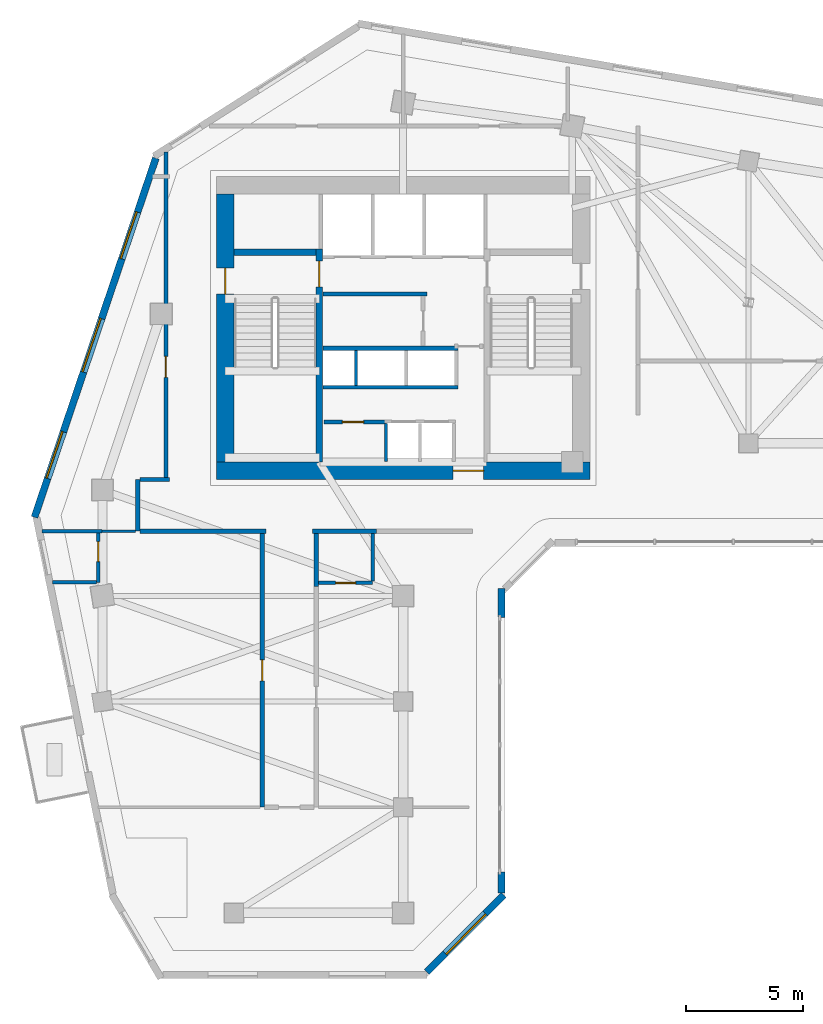
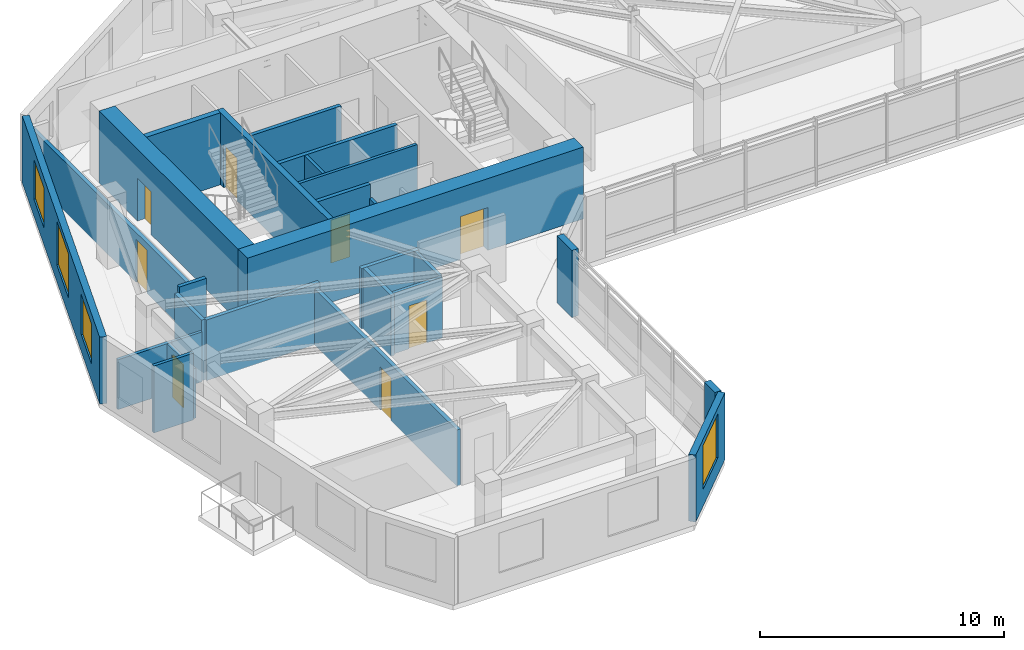
# One storey, part 5 of 10: 27 walls, 8 doors, 4 windows, 12 openings.
"""IFC4 building model written with IfcOpenShell, lengths in metres."""

from ifc_helpers import new_model, si_unit, direction, frame, frame_2d, origin, place, context, subcontext, project, spatial, rectangle, extrude, source, transform, mapped, material, layer, layer_set, type_object, element, fill, save


model = new_model("IFC4")

# Units and contexts
model_context = context("Model", 3, precision=1e-05, world=origin(), true_north=direction((0.0, 1.0)))
body_context = subcontext(model_context, "Body", "Model", "MODEL_VIEW")
ifc_project = project(units=[si_unit("LENGTHUNIT", "METRE"), si_unit("AREAUNIT", "SQUARE_METRE"), si_unit("VOLUMEUNIT", "CUBIC_METRE"), si_unit("PLANEANGLEUNIT", "RADIAN"), si_unit("MASSUNIT", "GRAM", prefix="KILO")], contexts=[model_context])

# Site, building, storey
site_placement = place(None, origin())
site = spatial("IfcSite", under=ifc_project, at=site_placement, CompositionType="ELEMENT")
building_placement = place(site_placement, origin())
building = spatial("IfcBuilding", under=site, at=building_placement, Name="Calvemar Wedge Station Tower", CompositionType="ELEMENT")
storey_placement = place(building_placement, frame((0.0, 0.0, 164.60009765625)))
storey = spatial("IfcBuildingStorey", under=building, at=storey_placement, Name="L41", CompositionType="ELEMENT", Elevation=164.60009765625)

# Wall, opening, door
ifc_material_1 = material(Name="Concrete C50", Category="concrete")
ifc_layer_1 = layer(ifc_material_1, 0.260009765625)
ifc_layer_set_1 = layer_set([ifc_layer_1], Name="Concrete C50")
wall_type_1 = type_object("IfcWallType", Name="SW-CORE-260", PredefinedType="SHEAR", material=ifc_layer_set_1)
wall_1_placement = place(storey_placement, frame((20.22998046875, 34.199951171875, 0.0), z_axis=(0.0, 0.0, 1.0), x_axis=(0.0, 1.0, 0.0)))
wall_1 = element("IfcWall", 1, at=wall_1_placement, inside=storey, type_object=wall_type_1, Name="Storey L41 Core Shear Wall SPINE-W", PredefinedType="SHEAR", context=body_context, shape_type="SweptSolid", body=[
    extrude(rectangle(XDim=9.06005859375, YDim=0.260009765625, at=frame_2d((4.530029296875, 0.0))), origin(), (0.0, 0.0, 1.0), 3.599853515625),
])
shared_shape_1 = source(origin(), body_context, "Body", "SweptSolid", [
    extrude(rectangle(XDim=1.10009765625, YDim=2.14990234375, at=frame_2d((0.550048828125, 1.074951171875))), frame((0.0, 0.14013671875, 0.0), z_axis=(0.0, -1.0, 0.0), x_axis=(1.0, 0.0, 0.0)), (0.0, 0.0, 1.0), 0.280029296875),
])
opening_1_placement = place(wall_1_placement, frame((7.449951171875, 0.0, 0.0)))
opening_1 = element("IfcOpeningElement", 2, at=opening_1_placement, cuts=wall_1, Name="Opening FD-90", PredefinedType="OPENING", context=body_context, shape_type="MappedRepresentation", body=[
    mapped(shared_shape_1, transform((0.0, 0.0, 0.0), scale=1.0)),
])
ifc_material_2 = material(Name="Galvanized fire-rated steel door leaf P-90", Category="steel")
door_type_1 = type_object("IfcDoorType", Name="DR-FD90-1100", OperationType="NOTDEFINED", PredefinedType="DOOR", material=ifc_material_2)
shared_shape_2 = source(origin(), body_context, "Body", "SweptSolid", [
    extrude(rectangle(XDim=1.10009765625, YDim=2.14990234375, at=frame_2d((0.550048828125, 1.074951171875))), frame((0.0, 0.02490234375, 0.0), z_axis=(0.0, -1.0, 0.0), x_axis=(1.0, 0.0, 0.0)), (0.0, 0.0, 1.0), 0.050048828125),
])
door_1_placement = place(opening_1_placement, origin())
door_1 = element("IfcDoor", 3, at=door_1_placement, inside=storey, type_object=door_type_1, Name="L41 FF Lobby to Stair ST-C1 Door", OperationType="SINGLE_SWING_LEFT", OverallHeight=2.14990234375, OverallWidth=1.10009765625, PredefinedType="DOOR", context=body_context, shape_type="MappedRepresentation", body=[
    mapped(shared_shape_2, transform((0.0, 0.0, 0.0), scale=1.0)),
])
fill(opening_1, door_1)

# Wall
wall_2_placement = place(storey_placement, frame((16.60009765625, 43.1298828125, 0.0), z_axis=(0.0, 0.0, 1.0), x_axis=(1.0, 0.0, 0.0)))
element("IfcWall", 4, at=wall_2_placement, inside=storey, type_object=wall_type_1, Name="Storey L41 Core Shear Wall STC1-N", PredefinedType="SHEAR", context=body_context, shape_type="SweptSolid", body=[
    extrude(rectangle(XDim=3.5, YDim=0.260009765625, at=frame_2d((1.75, 0.0))), origin(), (0.0, 0.0, 1.0), 3.599853515625),
])

# Wall, opening, door
ifc_material_3 = material(Name="Concrete C70", Category="concrete")
ifc_layer_2 = layer(ifc_material_3, 0.75)
ifc_layer_set_2 = layer_set([ifc_layer_2], Name="Concrete C70")
wall_type_2 = type_object("IfcWallType", Name="SW-CORE-750", PredefinedType="SHEAR", material=ifc_layer_set_2)
wall_3_placement = place(storey_placement, frame((15.85009765625, 33.824951171875, 0.0), z_axis=(0.0, 0.0, 1.0), x_axis=(1.0, 0.0, 0.0)))
wall_3 = element("IfcWall", 5, at=wall_3_placement, inside=storey, type_object=wall_type_2, Name="Storey L41 Core Shear Wall S", PredefinedType="SHEAR", context=body_context, shape_type="SweptSolid", body=[
    extrude(rectangle(XDim=15.89990234375, YDim=0.75, at=frame_2d((7.949951171875, 0.0))), origin(), (0.0, 0.0, 1.0), 3.599853515625),
])
shared_shape_3 = source(origin(), body_context, "Body", "SweptSolid", [
    extrude(rectangle(XDim=1.300048828125, YDim=2.14990234375, at=frame_2d((0.64990234375, 1.074951171875))), frame((0.0, 0.385009765625, 0.0), z_axis=(0.0, -1.0, 0.0), x_axis=(1.0, 0.0, 0.0)), (0.0, 0.0, 1.0), 0.77001953125),
])
opening_2_placement = place(wall_3_placement, frame((10.080078125, 0.0, 0.0)))
opening_2 = element("IfcOpeningElement", 6, at=opening_2_placement, cuts=wall_3, Name="Opening DD-130", PredefinedType="OPENING", context=body_context, shape_type="MappedRepresentation", body=[
    mapped(shared_shape_3, transform((0.0, 0.0, 0.0), scale=1.0)),
])
ifc_material_4 = material(Name="Double-leaf lift lobby fire door EI 60")
door_type_2 = type_object("IfcDoorType", Name="DR-DBL-1300", OperationType="DOUBLE_DOOR_SINGLE_SWING", PredefinedType="DOOR", material=ifc_material_4)
shared_shape_4 = source(origin(), body_context, "Body", "SweptSolid", [
    extrude(rectangle(XDim=1.300048828125, YDim=2.14990234375, at=frame_2d((0.64990234375, 1.074951171875))), frame((0.0, 0.02490234375, 0.0), z_axis=(0.0, -1.0, 0.0), x_axis=(1.0, 0.0, 0.0)), (0.0, 0.0, 1.0), 0.050048828125),
])
door_2_placement = place(opening_2_placement, origin())
door_2 = element("IfcDoor", 7, at=door_2_placement, inside=storey, type_object=door_type_2, Name="L41 Passenger Lift Lobby Door", OperationType="DOUBLE_DOOR_SINGLE_SWING", OverallHeight=2.14990234375, OverallWidth=1.300048828125, PredefinedType="DOOR", context=body_context, shape_type="MappedRepresentation", body=[
    mapped(shared_shape_4, transform((0.0, 0.0, 0.0), scale=1.0)),
])
fill(opening_2, door_2)

wall_4_placement = place(storey_placement, frame((16.22509765625, 34.199951171875, 0.0), z_axis=(0.0, 0.0, 1.0), x_axis=(0.0, 1.0, 0.0)))
wall_4 = element("IfcWall", 8, at=wall_4_placement, inside=storey, type_object=wall_type_2, Name="Storey L41 Core Shear Wall W", PredefinedType="SHEAR", context=body_context, shape_type="SweptSolid", body=[
    extrude(rectangle(XDim=11.400146484375, YDim=0.75, at=frame_2d((5.7001953125, 0.0))), origin(), (0.0, 0.0, 1.0), 3.599853515625),
])
shared_shape_5 = source(origin(), body_context, "Body", "SweptSolid", [
    extrude(rectangle(XDim=1.10009765625, YDim=2.14990234375, at=frame_2d((0.550048828125, 1.074951171875))), frame((0.0, 0.385009765625, 0.0), z_axis=(0.0, -1.0, 0.0), x_axis=(1.0, 0.0, 0.0)), (0.0, 0.0, 1.0), 0.77001953125),
])
opening_3_placement = place(wall_4_placement, frame((7.14990234375, 0.0, 0.0)))
opening_3 = element("IfcOpeningElement", 9, at=opening_3_placement, cuts=wall_4, Name="Opening FD-90", PredefinedType="OPENING", context=body_context, shape_type="MappedRepresentation", body=[
    mapped(shared_shape_5, transform((0.0, 0.0, 0.0), scale=1.0)),
])
door_3_placement = place(opening_3_placement, origin())
door_3 = element("IfcDoor", 10, at=door_3_placement, inside=storey, type_object=door_type_1, Name="L41 West Corridor to Exit Stair ST-C1 Door", OperationType="SINGLE_SWING_LEFT", OverallHeight=2.14990234375, OverallWidth=1.10009765625, PredefinedType="DOOR", context=body_context, shape_type="MappedRepresentation", body=[
    mapped(shared_shape_2, transform((0.0, 0.0, 0.0), scale=1.0)),
])
fill(opening_3, door_3)

# Wall
ifc_material_5 = material(Name="Double-stud fire-rated corridor partition")
ifc_layer_3 = layer(ifc_material_5, 0.179931640625)
ifc_layer_set_3 = layer_set([ifc_layer_3], Name="Double-stud fire-rated corridor partition")
wall_type_3 = type_object("IfcWallType", Name="W-CORR-180", PredefinedType="PARTITIONING", material=ifc_layer_set_3)
wall_5_placement = place(storey_placement, frame((24.81005859375, 41.35009765625, 0.0), z_axis=(0.0, 0.0, 1.0), x_axis=(-1.0, 0.0, 0.0)))
element("IfcWall", 11, at=wall_5_placement, inside=storey, type_object=wall_type_3, Name="Storey L41 Interior Partition WL-L41-001", PredefinedType="PARTITIONING", context=body_context, shape_type="SweptSolid", body=[
    extrude(rectangle(XDim=4.43017578125, YDim=0.179931640625, at=frame_2d((2.215087890625, 0.0))), origin(), (0.0, 0.0, 1.0), 3.349853515625),
])

# Wall, opening, door
wall_6_placement = place(storey_placement, frame((20.419921875, 35.89990234375, 0.0), z_axis=(0.0, 0.0, 1.0), x_axis=(1.0, 0.0, 0.0)))
wall_6 = element("IfcWall", 12, at=wall_6_placement, inside=storey, type_object=wall_type_3, Name="Storey L41 Interior Partition WL-L41-004", PredefinedType="PARTITIONING", context=body_context, shape_type="SweptSolid", body=[
    extrude(rectangle(XDim=2.6201171875, YDim=0.179931640625, at=frame_2d((1.31005859375, 0.0))), origin(), (0.0, 0.0, 1.0), 3.349853515625),
])
shared_shape_6 = source(origin(), body_context, "Body", "SweptSolid", [
    extrude(rectangle(XDim=0.89990234375, YDim=2.14990234375, at=frame_2d((0.449951171875, 1.074951171875))), frame((0.0, 0.10009765625, 0.0), z_axis=(0.0, -1.0, 0.0), x_axis=(1.0, 0.0, 0.0)), (0.0, 0.0, 1.0), 0.199951171875),
])
opening_4_placement = place(wall_6_placement, frame((0.795654296875, 0.0, 0.0)))
opening_4 = element("IfcOpeningElement", 13, at=opening_4_placement, cuts=wall_6, Name="Opening FD-60", PredefinedType="OPENING", context=body_context, shape_type="MappedRepresentation", body=[
    mapped(shared_shape_6, transform((0.0, 0.0, 0.0), scale=1.0)),
])
ifc_material_6 = material(Name="Fire-rated acoustic timber-core entrance door EI 60", Category="wood")
door_type_3 = type_object("IfcDoorType", Name="DR-FD60-900", OperationType="NOTDEFINED", PredefinedType="DOOR", material=ifc_material_6)
shared_shape_7 = source(origin(), body_context, "Body", "SweptSolid", [
    extrude(rectangle(XDim=0.89990234375, YDim=2.14990234375, at=frame_2d((0.449951171875, 1.074951171875))), frame((0.0, 0.02490234375, 0.0), z_axis=(0.0, -1.0, 0.0), x_axis=(1.0, 0.0, 0.0)), (0.0, 0.0, 1.0), 0.050048828125),
])
door_4_placement = place(opening_4_placement, origin())
door_4 = element("IfcDoor", 14, at=door_4_placement, inside=storey, type_object=door_type_3, Name="L41 Housekeeping Store Door", OperationType="SINGLE_SWING_LEFT", OverallHeight=2.14990234375, OverallWidth=0.89990234375, PredefinedType="DOOR", context=body_context, shape_type="MappedRepresentation", body=[
    mapped(shared_shape_7, transform((0.0, 0.0, 0.0), scale=1.0)),
])
fill(opening_4, door_4)

# Walls
wall_7_placement = place(storey_placement, frame((12.5, 31.25, 0.0), z_axis=(0.0, 0.0, 1.0), x_axis=(0.0, 1.0, 0.0)))
element("IfcWall", 15, at=wall_7_placement, inside=storey, type_object=wall_type_3, Name="Storey L41 Interior Partition WL-L41-005", PredefinedType="PARTITIONING", context=body_context, shape_type="SweptSolid", body=[
    extrude(rectangle(XDim=2.199951171875, YDim=0.179931640625, at=frame_2d((1.10009765625, 0.0))), origin(), (0.0, 0.0, 1.0), 3.033935546875),
])
wall_8_placement = place(storey_placement, frame((12.593994140625, 33.449951171875, 0.0), z_axis=(0.0, 0.0, 1.0), x_axis=(1.0, 0.0, 0.0)))
element("IfcWall", 16, at=wall_8_placement, inside=storey, type_object=wall_type_3, Name="Storey L41 Interior Partition WL-L41-006", PredefinedType="PARTITIONING", context=body_context, shape_type="SweptSolid", body=[
    extrude(rectangle(XDim=1.26611328125, YDim=0.179931640625, at=frame_2d((0.633056640625, 0.0))), origin(), (0.0, 0.0, 1.0), 3.349853515625),
])
wall_9_placement = place(storey_placement, frame((17.9599609375, 31.25, 0.0), z_axis=(0.0, 0.0, 1.0), x_axis=(-1.0, 0.0, 0.0)))
element("IfcWall", 17, at=wall_9_placement, inside=storey, type_object=wall_type_3, Name="Storey L41 Interior Partition WL-L41-007", PredefinedType="PARTITIONING", context=body_context, shape_type="SweptSolid", body=[
    extrude(rectangle(XDim=5.365966796875, YDim=0.179931640625, at=frame_2d((2.68310546875, 0.0))), origin(), (0.0, 0.0, 1.0), 3.033935546875),
])
wall_10_placement = place(storey_placement, frame((22.659912109375, 31.25, 0.0), z_axis=(0.0, 0.0, 1.0), x_axis=(-1.0, 0.0, 0.0)))
element("IfcWall", 18, at=wall_10_placement, inside=storey, type_object=wall_type_3, Name="Storey L41 Interior Partition WL-L41-008", PredefinedType="PARTITIONING", context=body_context, shape_type="SweptSolid", body=[
    extrude(rectangle(XDim=2.719970703125, YDim=0.179931640625, at=frame_2d((1.35986328125, 0.0))), origin(), (0.0, 0.0, 1.0), 3.033935546875),
])

# Wall, opening, door
wall_11_placement = place(storey_placement, frame((13.699951171875, 33.5439453125, 0.0), z_axis=(0.0, 0.0, 1.0), x_axis=(0.0, 1.0, 0.0)))
wall_11 = element("IfcWall", 19, at=wall_11_placement, inside=storey, type_object=wall_type_3, Name="Storey L41 Interior Partition WL-L41-010", PredefinedType="PARTITIONING", context=body_context, shape_type="SweptSolid", body=[
    extrude(rectangle(XDim=13.860107421875, YDim=0.179931640625, at=frame_2d((6.93017578125, 0.0))), origin(), (0.0, 0.0, 1.0), 2.491943359375),
])
opening_5_placement = place(wall_11_placement, frame((4.252685546875, 0.0, 0.0)))
opening_5 = element("IfcOpeningElement", 20, at=opening_5_placement, cuts=wall_11, Name="Opening D-01", PredefinedType="OPENING", context=body_context, shape_type="MappedRepresentation", body=[
    mapped(shared_shape_6, transform((0.0, 0.0, 0.0), scale=1.0)),
])
ifc_material_7 = material(Name="Architectural hardwood acoustic swing door", Category="wood")
door_type_4 = type_object("IfcDoorType", Name="DR-INT-900", OperationType="NOTDEFINED", PredefinedType="DOOR", material=ifc_material_7)
shared_shape_8 = source(origin(), body_context, "Body", "SweptSolid", [
    extrude(rectangle(XDim=0.89990234375, YDim=2.14990234375, at=frame_2d((0.449951171875, 1.074951171875))), frame((0.0, 0.02490234375, 0.0), z_axis=(0.0, -1.0, 0.0), x_axis=(1.0, 0.0, 0.0)), (0.0, 0.0, 1.0), 0.050048828125),
])
door_5_placement = place(opening_5_placement, origin())
door_5 = element("IfcDoor", 21, at=door_5_placement, inside=storey, type_object=door_type_4, Name="L41 Executive Lounge Door", OperationType="SINGLE_SWING_RIGHT", OverallHeight=2.14990234375, OverallWidth=0.89990234375, PredefinedType="DOOR", context=body_context, shape_type="MappedRepresentation", body=[
    mapped(shared_shape_8, transform((0.0, 0.0, 0.0), scale=1.0)),
])
fill(opening_5, door_5)

wall_12_placement = place(storey_placement, frame((17.800048828125, 19.5, 0.0), z_axis=(0.0, 0.0, 1.0), x_axis=(0.0, 1.0, 0.0)))
wall_12 = element("IfcWall", 22, at=wall_12_placement, inside=storey, type_object=wall_type_3, Name="Storey L41 Interior Partition WL-L41-023", PredefinedType="PARTITIONING", context=body_context, shape_type="SweptSolid", body=[
    extrude(rectangle(XDim=11.656005859375, YDim=0.179931640625, at=frame_2d((5.828125, 0.0))), origin(), (0.0, 0.0, 1.0), 2.802978515625),
])
opening_6_placement = place(wall_12_placement, frame((5.3779296875, 0.0, 0.0)))
opening_6 = element("IfcOpeningElement", 23, at=opening_6_placement, cuts=wall_12, Name="Opening FD-60", PredefinedType="OPENING", context=body_context, shape_type="MappedRepresentation", body=[
    mapped(shared_shape_6, transform((0.0, 0.0, 0.0), scale=1.0)),
])
door_6_placement = place(opening_6_placement, origin())
door_6 = element("IfcDoor", 24, at=door_6_placement, inside=storey, type_object=door_type_3, Name="L41 Hotel Suite Door", OperationType="SINGLE_SWING_LEFT", OverallHeight=2.14990234375, OverallWidth=0.89990234375, PredefinedType="DOOR", context=body_context, shape_type="MappedRepresentation", body=[
    mapped(shared_shape_7, transform((0.0, 0.0, 0.0), scale=1.0)),
])
fill(opening_6, door_6)

# Wall
wall_13_placement = place(storey_placement, frame((20.10009765625, 31.156005859375, 0.0), z_axis=(0.0, 0.0, 1.0), x_axis=(0.0, -1.0, 0.0)))
element("IfcWall", 25, at=wall_13_placement, inside=storey, type_object=wall_type_3, Name="Storey L41 Interior Partition WL-L41-024", PredefinedType="PARTITIONING", context=body_context, shape_type="SweptSolid", body=[
    extrude(rectangle(XDim=2.26611328125, YDim=0.179931640625, at=frame_2d((1.133056640625, 0.0))), origin(), (0.0, 0.0, 1.0), 3.033935546875),
])

# Wall, opening, window
ifc_material_8 = material(Name="Precast concrete C45", Category="concrete")
ifc_layer_4 = layer(ifc_material_8, 0.300048828125)
ifc_layer_set_4 = layer_set([ifc_layer_4], Name="Precast concrete C45")
wall_type_4 = type_object("IfcWallType", Name="W-EXT-GFRC-300", PredefinedType="SOLIDWALL", material=ifc_layer_set_4)
wall_14_placement = place(storey_placement, frame((24.803955078125, 12.488037109375, 0.0), z_axis=(0.0, 0.0, 1.0), x_axis=(0.70708046583, 0.707133095564, 0.0)))
wall_14 = element("IfcWall", 26, at=wall_14_placement, inside=storey, type_object=wall_type_4, Name="Storey L41 Bronze GFRC Exterior Wall 3", PredefinedType="SOLIDWALL", context=body_context, shape_type="SweptSolid", body=[
    extrude(rectangle(XDim=4.638916015625, YDim=0.300048828125, at=frame_2d((2.3193359375, 0.0))), origin(), (0.0, 0.0, 1.0), 3.349853515625),
])
shared_shape_9 = source(origin(), body_context, "Body", "SweptSolid", [
    extrude(rectangle(XDim=2.39990234375, YDim=2.199951171875, at=frame_2d((1.199951171875, 1.10009765625))), frame((0.0, 0.16015625, 0.0), z_axis=(0.0, -1.0, 0.0), x_axis=(1.0, 0.0, 0.0)), (0.0, 0.0, 1.0), 0.320068359375),
])
opening_7_placement = place(wall_14_placement, frame((1.118896484375, 0.0, 0.85009765625)))
opening_7 = element("IfcOpeningElement", 27, at=opening_7_placement, cuts=wall_14, Name="Opening W1", PredefinedType="OPENING", context=body_context, shape_type="MappedRepresentation", body=[
    mapped(shared_shape_9, transform((0.0, 0.0, 0.0), scale=1.0)),
])
ifc_material_9 = material(Name="Low-E laminated insulated glass", Category="glass")
window_type_1 = type_object("IfcWindowType", Name="WIN-EXT-1", PartitioningType="SINGLE_PANEL", PredefinedType="WINDOW", material=ifc_material_9)
shared_shape_10 = source(origin(), body_context, "Body", "SweptSolid", [
    extrude(rectangle(XDim=2.39990234375, YDim=2.199951171875, at=frame_2d((1.199951171875, 1.10009765625))), frame((0.0, -0.014892578125, 0.0), z_axis=(0.0, -1.0, 0.0), x_axis=(1.0, 0.0, 0.0)), (0.0, 0.0, 1.0), 0.06005859375),
])
window_1_placement = place(opening_7_placement, origin())
window_1 = element("IfcWindow", 28, at=window_1_placement, inside=storey, type_object=window_type_1, Name="Storey L41 Recessed Window 3.1", OverallHeight=2.199951171875, OverallWidth=2.39990234375, PartitioningType="SINGLE_PANEL", PredefinedType="WINDOW", context=body_context, shape_type="MappedRepresentation", body=[
    mapped(shared_shape_10, transform((0.0, 0.0, 0.0), scale=1.0)),
])
fill(opening_7, window_1)

# Walls
wall_15_placement = place(storey_placement, frame((27.97802734375, 15.857421875, 0.0), z_axis=(0.0, 0.0, 1.0), x_axis=(0.0, 1.0, 0.0)))
element("IfcWall", 29, at=wall_15_placement, inside=storey, type_object=wall_type_4, Name="Storey L41 Bronze GFRC Corner Pier 4A", PredefinedType="SOLIDWALL", context=body_context, shape_type="SweptSolid", body=[
    extrude(rectangle(XDim=0.882080078125, YDim=0.300048828125, at=frame_2d((0.44091796875, 0.0))), origin(), (0.0, 0.0, 1.0), 3.349853515625),
])
wall_16_placement = place(storey_placement, frame((27.97802734375, 27.57666015625, 0.0), z_axis=(0.0, 0.0, 1.0), x_axis=(0.0, 1.0, 0.0)))
element("IfcWall", 30, at=wall_16_placement, inside=storey, type_object=wall_type_4, Name="Storey L41 Bronze GFRC Corner Pier 4B", PredefinedType="SOLIDWALL", context=body_context, shape_type="SweptSolid", body=[
    extrude(rectangle(XDim=1.2275390625, YDim=0.300048828125, at=frame_2d((0.61376953125, 0.0))), origin(), (0.0, 0.0, 1.0), 3.349853515625),
])

# Wall, openings, windows
wall_17_placement = place(storey_placement, frame((13.2685546875, 47.1337890625, 0.0), z_axis=(0.0, 0.0, 1.0), x_axis=(-0.319929773322, -0.947441259468, 0.0)))
wall_17 = element("IfcWall", 31, at=wall_17_placement, inside=storey, type_object=wall_type_4, Name="Storey L41 Bronze GFRC Exterior Wall 12", PredefinedType="SOLIDWALL", context=body_context, shape_type="SweptSolid", body=[
    extrude(rectangle(XDim=16.133544921875, YDim=0.300048828125, at=frame_2d((8.06689453125, 0.0))), origin(), (0.0, 0.0, 1.0), 3.349853515625),
])
shared_shape_11 = source(origin(), body_context, "Body", "SweptSolid", [
    extrude(rectangle(XDim=2.10009765625, YDim=2.0, at=frame_2d((1.050048828125, 1.0))), frame((0.0, 0.16015625, 0.0), z_axis=(0.0, -1.0, 0.0), x_axis=(1.0, 0.0, 0.0)), (0.0, 0.0, 1.0), 0.320068359375),
])
opening_8_placement = place(wall_17_placement, frame((2.426025390625, 0.0, 0.85009765625)))
opening_8 = element("IfcOpeningElement", 32, at=opening_8_placement, cuts=wall_17, Name="Opening W4", PredefinedType="OPENING", context=body_context, shape_type="MappedRepresentation", body=[
    mapped(shared_shape_11, transform((0.0, 0.0, 0.0), scale=1.0)),
])
opening_9_placement = place(wall_17_placement, frame((7.2109375, 0.0, 0.85009765625)))
opening_9 = element("IfcOpeningElement", 33, at=opening_9_placement, cuts=wall_17, Name="Opening W1", PredefinedType="OPENING", context=body_context, shape_type="MappedRepresentation", body=[
    mapped(shared_shape_9, transform((0.0, 0.0, 0.0), scale=1.0)),
])
opening_10_placement = place(wall_17_placement, frame((12.2958984375, 0.0, 0.85009765625)))
opening_10 = element("IfcOpeningElement", 34, at=opening_10_placement, cuts=wall_17, Name="Opening W4", PredefinedType="OPENING", context=body_context, shape_type="MappedRepresentation", body=[
    mapped(shared_shape_11, transform((0.0, 0.0, 0.0), scale=1.0)),
])
window_type_2 = type_object("IfcWindowType", Name="WIN-EXT-4", PartitioningType="SINGLE_PANEL", PredefinedType="WINDOW", material=ifc_material_9)
shared_shape_12 = source(origin(), body_context, "Body", "SweptSolid", [
    extrude(rectangle(XDim=2.10009765625, YDim=2.0, at=frame_2d((1.050048828125, 1.0))), frame((0.0, -0.014892578125, 0.0), z_axis=(0.0, -1.0, 0.0), x_axis=(1.0, 0.0, 0.0)), (0.0, 0.0, 1.0), 0.06005859375),
])
window_2_placement = place(opening_8_placement, origin())
window_2 = element("IfcWindow", 35, at=window_2_placement, inside=storey, type_object=window_type_2, Name="Storey L41 Recessed Window 12.1", OverallHeight=2.0, OverallWidth=2.10009765625, PartitioningType="SINGLE_PANEL", PredefinedType="WINDOW", context=body_context, shape_type="MappedRepresentation", body=[
    mapped(shared_shape_12, transform((0.0, 0.0, 0.0), scale=1.0)),
])
fill(opening_8, window_2)
window_3_placement = place(opening_10_placement, origin())
window_3 = element("IfcWindow", 36, at=window_3_placement, inside=storey, type_object=window_type_2, Name="Storey L41 Recessed Window 12.3", OverallHeight=2.0, OverallWidth=2.10009765625, PartitioningType="SINGLE_PANEL", PredefinedType="WINDOW", context=body_context, shape_type="MappedRepresentation", body=[
    mapped(shared_shape_12, transform((0.0, 0.0, 0.0), scale=1.0)),
])
fill(opening_10, window_3)
window_4_placement = place(opening_9_placement, origin())
window_4 = element("IfcWindow", 37, at=window_4_placement, inside=storey, type_object=window_type_1, Name="Storey L41 Recessed Window 12.2", OverallHeight=2.199951171875, OverallWidth=2.39990234375, PartitioningType="SINGLE_PANEL", PredefinedType="WINDOW", context=body_context, shape_type="MappedRepresentation", body=[
    mapped(shared_shape_10, transform((0.0, 0.0, 0.0), scale=1.0)),
])
fill(opening_9, window_4)

# Walls
ifc_material_10 = material(Name="Reinforced concrete blockwork lift shaft wall", Category="masonry")
ifc_layer_5 = layer(ifc_material_10, 0.139892578125)
ifc_layer_set_5 = layer_set([ifc_layer_5], Name="Reinforced concrete blockwork lift shaft wall")
wall_type_5 = type_object("IfcWallType", Name="W-LIFT-160", PredefinedType="SOLIDWALL", material=ifc_layer_set_5)
wall_18_placement = place(storey_placement, frame((23.070068359375, 34.219970703125, 0.0), z_axis=(0.0, 0.0, 1.0), x_axis=(0.0, 1.0, 0.0)))
element("IfcWall", 38, at=wall_18_placement, inside=storey, type_object=wall_type_5, Name="Storey L41 South Passenger Lift Shaft Wall W", PredefinedType="SOLIDWALL", context=body_context, shape_type="SweptSolid", body=[
    extrude(rectangle(XDim=1.6201171875, YDim=0.139892578125, at=frame_2d((0.81005859375, 0.0))), origin(), (0.0, 0.0, 1.0), 2.641845703125),
])
wall_19_placement = place(storey_placement, frame((20.3798828125, 37.3798828125, 0.0), z_axis=(0.0, 0.0, 1.0), x_axis=(1.0, 0.0, 0.0)))
element("IfcWall", 39, at=wall_19_placement, inside=storey, type_object=wall_type_5, Name="Storey L41 Upper Passenger Lift Bank Front Wall", PredefinedType="SOLIDWALL", context=body_context, shape_type="SweptSolid", body=[
    extrude(rectangle(XDim=5.75, YDim=0.139892578125, at=frame_2d((2.875, 0.0))), origin(), (0.0, 0.0, 1.0), 3.349853515625),
])
wall_20_placement = place(storey_placement, frame((21.794921875, 37.4599609375, 0.0), z_axis=(0.0, 0.0, 1.0), x_axis=(0.0, 1.0, 0.0)))
element("IfcWall", 40, at=wall_20_placement, inside=storey, type_object=wall_type_5, Name="Storey L41 Upper Passenger Lift Shaft Wall D1", PredefinedType="SOLIDWALL", context=body_context, shape_type="SweptSolid", body=[
    extrude(rectangle(XDim=1.47998046875, YDim=0.139892578125, at=frame_2d((0.739990234375, 0.0))), origin(), (0.0, 0.0, 1.0), 3.349853515625),
])
ifc_material_11 = material(Name="Insulated acoustic gypsum stud partition")
ifc_layer_6 = layer(ifc_material_11, 0.125)
ifc_layer_set_6 = layer_set([ifc_layer_6], Name="Insulated acoustic gypsum stud partition")
wall_type_6 = type_object("IfcWallType", Name="W-PART-125", PredefinedType="PARTITIONING", material=ifc_layer_set_6)
wall_21_placement = place(storey_placement, frame((12.406005859375, 31.25, 0.0), z_axis=(0.0, 0.0, 1.0), x_axis=(-1.0, 0.0, 0.0)))
element("IfcWall", 41, at=wall_21_placement, inside=storey, type_object=wall_type_6, Name="Storey L41 Interior Partition WL-L41-018", PredefinedType="PARTITIONING", context=body_context, shape_type="SweptSolid", body=[
    extrude(rectangle(XDim=1.425537109375, YDim=0.125, at=frame_2d((0.712890625, 0.0))), origin(), (0.0, 0.0, 1.0), 2.491943359375),
])
ifc_material_12 = material(Name="Concrete blockwork and fireboard shaft wall", Category="masonry")
ifc_layer_7 = layer(ifc_material_12, 0.199951171875)
ifc_layer_set_7 = layer_set([ifc_layer_7], Name="Concrete blockwork and fireboard shaft wall")
wall_type_7 = type_object("IfcWallType", Name="W-SHAFT-200", PredefinedType="SOLIDWALL", material=ifc_layer_set_7)
wall_22_placement = place(storey_placement, frame((20.3798828125, 39.0400390625, 0.0), z_axis=(0.0, 0.0, 1.0), x_axis=(1.0, 0.0, 0.0)))
element("IfcWall", 42, at=wall_22_placement, inside=storey, type_object=wall_type_7, Name="Storey L41 Upper Passenger Lift Bank Rear Shaft Wall", PredefinedType="SOLIDWALL", context=body_context, shape_type="SweptSolid", body=[
    extrude(rectangle(XDim=5.75, YDim=0.179931640625, at=frame_2d((2.875, 0.0))), origin(), (0.0, 0.0, 1.0), 3.349853515625),
])
ifc_material_13 = material(Name="Moisture-resistant acoustic bathroom partition")
ifc_layer_8 = layer(ifc_material_13, 0.14990234375)
ifc_layer_set_8 = layer_set([ifc_layer_8], Name="Moisture-resistant acoustic bathroom partition")
wall_type_8 = type_object("IfcWallType", Name="W-WET-150", PredefinedType="PARTITIONING", material=ifc_layer_set_8)
wall_23_placement = place(storey_placement, frame((10.978515625, 31.25, 0.0), z_axis=(0.0, 0.0, 1.0), x_axis=(-1.0, 0.0, 0.0)))
element("IfcWall", 43, at=wall_23_placement, inside=storey, type_object=wall_type_8, Name="Storey L41 Interior Partition WL-L41-017", PredefinedType="PARTITIONING", context=body_context, shape_type="SweptSolid", body=[
    extrude(rectangle(XDim=2.555908203125, YDim=0.14990234375, at=frame_2d((1.27783203125, 0.0))), origin(), (0.0, 0.0, 1.0), 2.491943359375),
])

# Wall, opening, door
wall_24_placement = place(storey_placement, frame((10.818603515625, 31.1708984375, 0.0), z_axis=(0.0, 0.0, 1.0), x_axis=(0.0, -1.0, 0.0)))
wall_24 = element("IfcWall", 44, at=wall_24_placement, inside=storey, type_object=wall_type_8, Name="Storey L41 Interior Partition WL-L41-027", PredefinedType="PARTITIONING", context=body_context, shape_type="SweptSolid", body=[
    extrude(rectangle(XDim=2.100830078125, YDim=0.14990234375, at=frame_2d((1.05029296875, 0.0))), origin(), (0.0, 0.0, 1.0), 2.491943359375),
])
shared_shape_13 = source(origin(), body_context, "Body", "SweptSolid", [
    extrude(rectangle(XDim=0.85009765625, YDim=2.14990234375, at=frame_2d((0.425048828125, 1.074951171875))), frame((0.0, 0.0849609375, 0.0), z_axis=(0.0, -1.0, 0.0), x_axis=(1.0, 0.0, 0.0)), (0.0, 0.0, 1.0), 0.169921875),
])
opening_11_placement = place(wall_24_placement, frame((0.366455078125, 0.0, 0.0)))
opening_11 = element("IfcOpeningElement", 45, at=opening_11_placement, cuts=wall_24, Name="Opening D-02", PredefinedType="OPENING", context=body_context, shape_type="MappedRepresentation", body=[
    mapped(shared_shape_13, transform((0.0, 0.0, 0.0), scale=1.0)),
])
ifc_material_14 = material(Name="Moisture-sealed bathroom hardwood swing door", Category="wood")
door_type_5 = type_object("IfcDoorType", Name="DR-WET-850", OperationType="NOTDEFINED", PredefinedType="DOOR", material=ifc_material_14)
shared_shape_14 = source(origin(), body_context, "Body", "SweptSolid", [
    extrude(rectangle(XDim=0.85009765625, YDim=2.14990234375, at=frame_2d((0.425048828125, 1.074951171875))), frame((0.0, 0.02490234375, 0.0), z_axis=(0.0, -1.0, 0.0), x_axis=(1.0, 0.0, 0.0)), (0.0, 0.0, 1.0), 0.050048828125),
])
door_7_placement = place(opening_11_placement, origin())
door_7 = element("IfcDoor", 46, at=door_7_placement, inside=storey, type_object=door_type_5, Name="L41 En-Suite Bathroom Door", OperationType="SINGLE_SWING_RIGHT", OverallHeight=2.14990234375, OverallWidth=0.85009765625, PredefinedType="DOOR", context=body_context, shape_type="MappedRepresentation", body=[
    mapped(shared_shape_14, transform((0.0, 0.0, 0.0), scale=1.0)),
])
fill(opening_11, door_7)

# Wall
wall_25_placement = place(storey_placement, frame((10.739501953125, 29.070068359375, 0.0), z_axis=(0.0, 0.0, 1.0), x_axis=(-1.0, 0.0, 0.0)))
element("IfcWall", 47, at=wall_25_placement, inside=storey, type_object=wall_type_8, Name="Storey L41 Interior Partition WL-L41-028", PredefinedType="PARTITIONING", context=body_context, shape_type="SweptSolid", body=[
    extrude(rectangle(XDim=1.87451171875, YDim=0.14990234375, at=frame_2d((0.937255859375, 0.0))), origin(), (0.0, 0.0, 1.0), 3.349853515625),
])

# Wall, opening, door
wall_26_placement = place(storey_placement, frame((22.5, 29.050048828125, 0.0), z_axis=(0.0, 0.0, 1.0), x_axis=(-1.0, 0.0, 0.0)))
wall_26 = element("IfcWall", 48, at=wall_26_placement, inside=storey, type_object=wall_type_8, Name="Storey L41 Interior Partition WL-L41-030", PredefinedType="PARTITIONING", context=body_context, shape_type="SweptSolid", body=[
    extrude(rectangle(XDim=2.305908203125, YDim=0.14990234375, at=frame_2d((1.15283203125, 0.0))), origin(), (0.0, 0.0, 1.0), 3.033935546875),
])
opening_12_placement = place(wall_26_placement, frame((0.72802734375, 0.0, 0.0)))
opening_12 = element("IfcOpeningElement", 49, at=opening_12_placement, cuts=wall_26, Name="Opening D-02", PredefinedType="OPENING", context=body_context, shape_type="MappedRepresentation", body=[
    mapped(shared_shape_13, transform((0.0, 0.0, 0.0), scale=1.0)),
])
door_8_placement = place(opening_12_placement, origin())
door_8 = element("IfcDoor", 50, at=door_8_placement, inside=storey, type_object=door_type_5, Name="L41 En-Suite Bathroom Door", OperationType="SINGLE_SWING_RIGHT", OverallHeight=2.14990234375, OverallWidth=0.85009765625, PredefinedType="DOOR", context=body_context, shape_type="MappedRepresentation", body=[
    mapped(shared_shape_14, transform((0.0, 0.0, 0.0), scale=1.0)),
])
fill(opening_12, door_8)

# Wall
wall_27_placement = place(storey_placement, frame((22.5, 31.156005859375, 0.0), z_axis=(0.0, 0.0, 1.0), x_axis=(0.0, -1.0, 0.0)))
element("IfcWall", 51, at=wall_27_placement, inside=storey, type_object=wall_type_8, Name="Storey L41 Interior Partition WL-L41-031", PredefinedType="PARTITIONING", context=body_context, shape_type="SweptSolid", body=[
    extrude(rectangle(XDim=2.027099609375, YDim=0.14990234375, at=frame_2d((1.013671875, 0.0))), origin(), (0.0, 0.0, 1.0), 3.033935546875),
])

save(model, "model.ifc")
